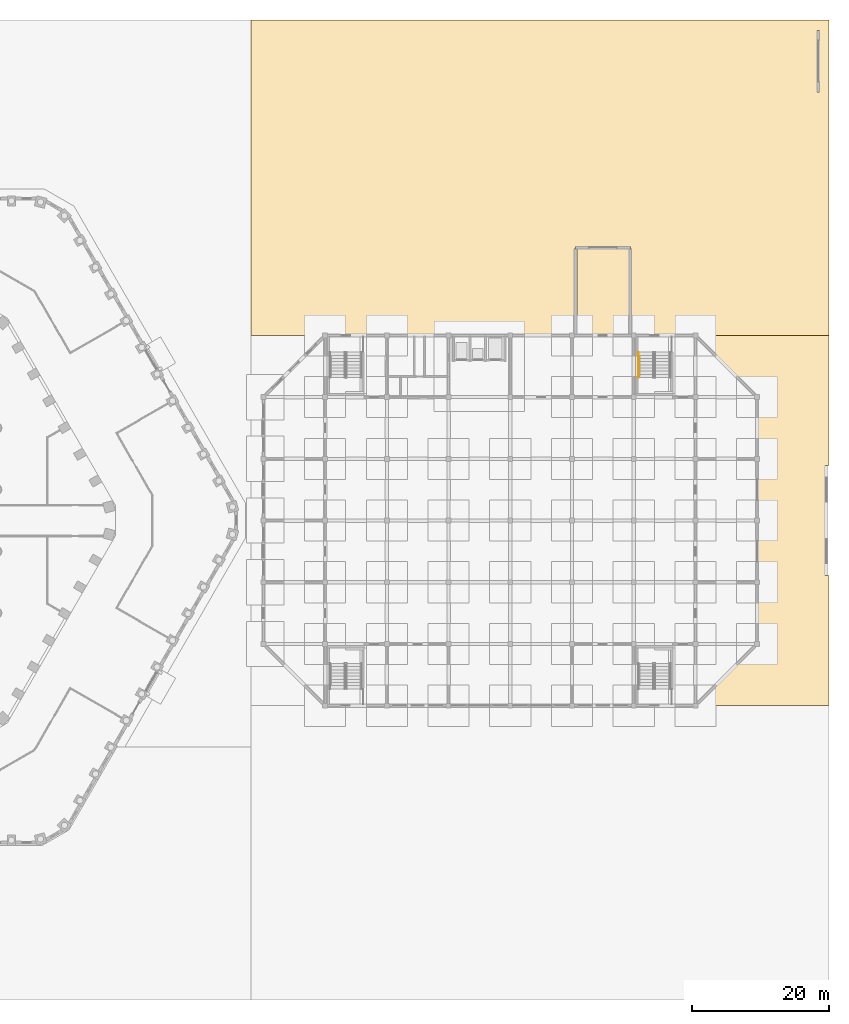
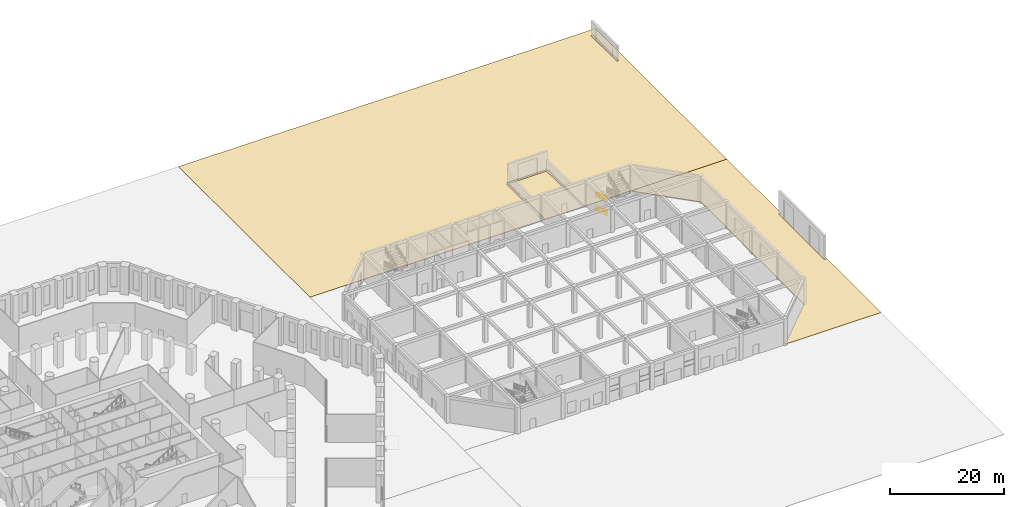
# One storey, part 42 of 44: 2 coverings, 2 railings.
"""IFC4 building model written with IfcOpenShell, lengths in metres."""

from ifc_helpers import new_model, si_unit, direction, frame, origin, origin_2d, place, context, subcontext, project, spatial, polyline, circle, outline, extrude, material, layer, layer_set, type_object, element, save


model = new_model("IFC4")

# Units and contexts
model_context = context("Model", 3, precision=1e-05, world=origin(), true_north=direction((0.0, 1.0)))
body_context = subcontext(model_context, "Body", "Model", "MODEL_VIEW")
ifc_project = project(units=[si_unit("LENGTHUNIT", "METRE"), si_unit("AREAUNIT", "SQUARE_METRE"), si_unit("VOLUMEUNIT", "CUBIC_METRE"), si_unit("PLANEANGLEUNIT", "RADIAN"), si_unit("MASSUNIT", "GRAM", prefix="KILO")], contexts=[model_context])

# Site, building, storey
site_placement = place(None, origin())
site = spatial("IfcSite", under=ifc_project, at=site_placement, CompositionType="ELEMENT")
building_placement = place(site_placement, origin())
building = spatial("IfcBuilding", under=site, at=building_placement, Name="Dhurran Vertical Campus", CompositionType="ELEMENT")
storey_placement = place(building_placement, origin())
storey = spatial("IfcBuildingStorey", under=building, at=storey_placement, Name="L00", CompositionType="ELEMENT", Elevation=0.0)

# Railings
ifc_material_1 = material(Name="Steel S355J2H", Category="steel")
railing_type = type_object("IfcRailingType", Name="hl-stair handrail", PredefinedType="HANDRAIL", material=ifc_material_1)
for number, where, name in (
    (1, (116.199951171875, 24.550048828125, 0.166748046875), "L00 HST2 stair handrail 1"),
    (2, (116.199951171875, 24.550048828125, 3.166748046875), "L00 HST2 stair handrail 3"),
):
    element("IfcRailing", number, at=place(storey_placement, frame(where)), inside=storey, type_object=railing_type, Name=name, PredefinedType="HANDRAIL", context=body_context, shape_type="SweptSolid", body=[
        extrude(circle(Radius=0.02392578125, at=origin_2d()), frame((0.0, 0.0, 0.8759765625), z_axis=(0.0, -0.94067018433, 0.339322272054), x_axis=(1.0, 0.0, 0.0)), (0.0, 0.0, 1.0), 3.92919921875),
        extrude(circle(Radius=0.02099609375, at=origin_2d()), origin(), (0.0, 0.0, 1.0), 0.851806640625),
        extrude(circle(Radius=0.02099609375, at=origin_2d()), frame((0.0, -0.924072265625, 0.333251953125)), (0.0, 0.0, 1.0), 0.851806640625),
        extrude(circle(Radius=0.02099609375, at=origin_2d()), frame((0.0, -1.84814453125, 0.66650390625)), (0.0, 0.0, 1.0), 0.851806640625),
        extrude(circle(Radius=0.02099609375, at=origin_2d()), frame((0.0, -2.77197265625, 1.0)), (0.0, 0.0, 1.0), 0.851806640625),
        extrude(circle(Radius=0.02099609375, at=origin_2d()), frame((0.0, -3.696044921875, 1.333251953125)), (0.0, 0.0, 1.0), 0.851806640625),
    ])

# Coverings
ifc_material_2 = material(Name="Concrete C35/45", Category="concrete")
ifc_layer = layer(ifc_material_2, 0.10009765625)
ifc_layer_set = layer_set([ifc_layer], Name="Concrete C35/45")
covering_type = type_object("IfcCoveringType", Name="st-ground paving 100", PredefinedType="USERDEFINED", material=ifc_layer_set)
covering_1_placement = place(storey_placement, frame((0.0, 0.0, -0.10009765625)))
element("IfcCovering", 3, at=covering_1_placement, inside=storey, type_object=covering_type, Name="Hall surround paving D1", ObjectType="PAVING", PredefinedType="USERDEFINED", context=body_context, shape_type="SweptSolid", body=[
    extrude(outline(polyline([(143.39990234375, -8.0), (143.39990234375, 8.0), (143.800048828125, 8.0), (143.949951171875, 8.0), (143.949951171875, 27.0), (124.5, 27.0), (133.5, 18.0), (133.5, -18.0), (124.5, -27.0), (143.949951171875, -27.0), (143.949951171875, -8.0), (143.800048828125, -8.0), (143.39990234375, -8.0)])), origin(), (0.0, 0.0, 1.0), 0.10009765625),
])
covering_2_placement = place(storey_placement, frame((0.0, 0.0, -0.10009765625)))
element("IfcCovering", 4, at=covering_2_placement, inside=storey, type_object=covering_type, Name="Hall north court paving E1", ObjectType="PAVING", PredefinedType="USERDEFINED", context=body_context, shape_type="SweptSolid", body=[
    extrude(outline(polyline([(59.699951171875, 73.0), (59.699951171875, 27.0), (70.5, 27.0), (124.5, 27.0), (143.949951171875, 27.0), (143.949951171875, 73.0), (59.699951171875, 73.0)]), holes=[polyline([(142.60009765625, 62.5), (142.199951171875, 62.5), (142.199951171875, 71.5), (142.60009765625, 71.5), (142.60009765625, 62.5)]), polyline([(106.800048828125, 39.60009765625), (107.0, 39.60009765625), (107.0, 40.0), (115.0, 40.0), (115.0, 39.60009765625), (115.199951171875, 39.60009765625), (115.199951171875, 27.199951171875), (114.800048828125, 27.199951171875), (114.800048828125, 39.60009765625), (107.199951171875, 39.60009765625), (107.199951171875, 27.199951171875), (106.800048828125, 27.199951171875), (106.800048828125, 39.60009765625)])]), origin(), (0.0, 0.0, 1.0), 0.10009765625),
])

save(model, "model.ifc")
